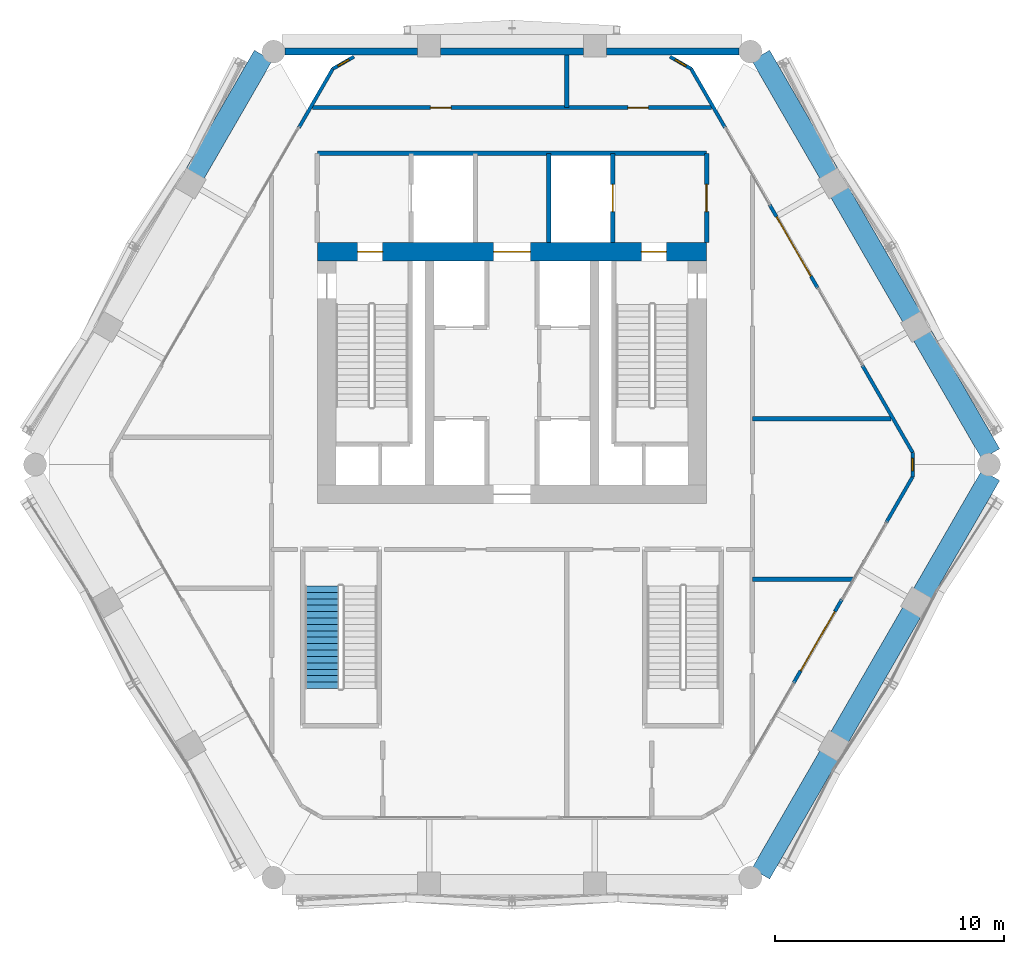
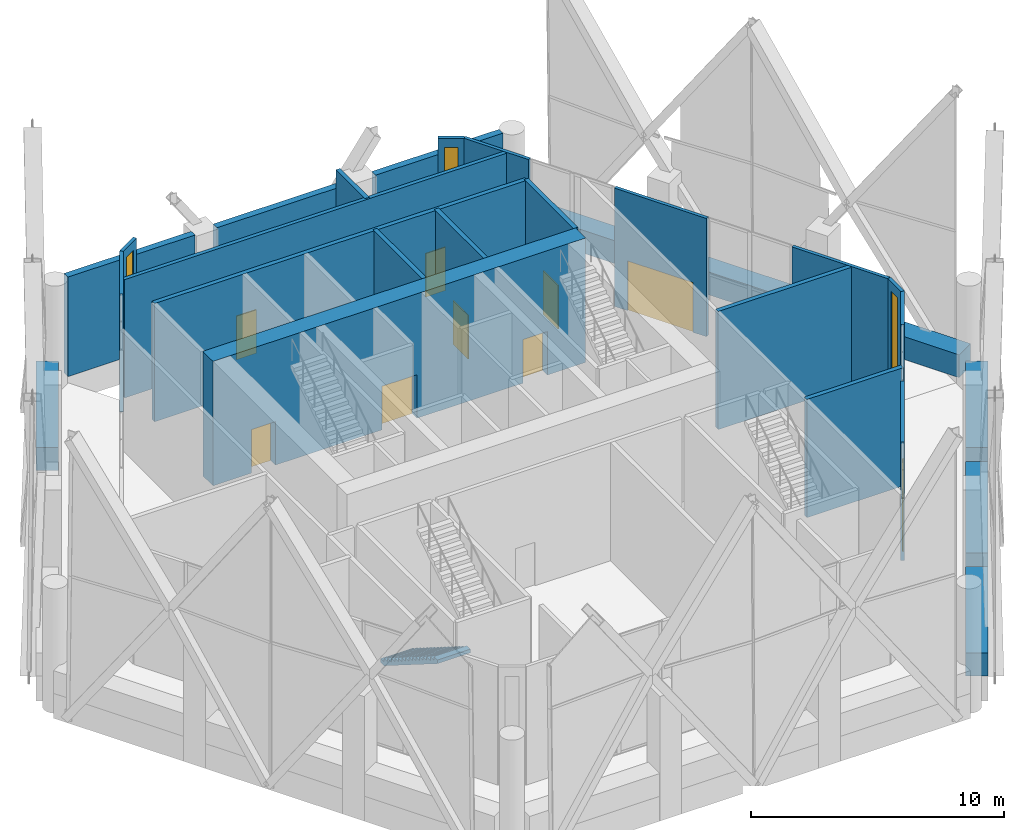
# One storey, part 37 of 43: 28 walls, 9 doors, 3 windows, 1 stair flight, 12 openings, 1 element without a shape of its own.
"""IFC4 building model written with IfcOpenShell, lengths in metres."""

from ifc_helpers import new_model, si_unit, direction, frame, frame_2d, origin, place, context, subcontext, project, spatial, polyline, rectangle, outline, extrude, material, layer, layer_set, type_object, element, fill, aggregate, save


model = new_model("IFC4")

# Units and contexts
model_context = context("Model", 3, precision=1e-05, world=origin(), true_north=direction((0.0, 1.0)))
body_context = subcontext(model_context, "Body", "Model", "MODEL_VIEW")
ifc_project = project(units=[si_unit("LENGTHUNIT", "METRE"), si_unit("AREAUNIT", "SQUARE_METRE"), si_unit("VOLUMEUNIT", "CUBIC_METRE"), si_unit("PLANEANGLEUNIT", "RADIAN"), si_unit("MASSUNIT", "GRAM", prefix="KILO")], contexts=[model_context])

# Site, building, storey
site_placement = place(None, origin())
site = spatial("IfcSite", under=ifc_project, at=site_placement, CompositionType="ELEMENT")
building_placement = place(site_placement, origin())
building = spatial("IfcBuilding", under=site, at=building_placement, Name="Ostrander Bayou Hotel Tower", CompositionType="ELEMENT")
storey_placement = place(building_placement, frame((0.0, 0.0, 151.0)))
storey = spatial("IfcBuildingStorey", under=building, at=storey_placement, Name="L37", CompositionType="ELEMENT", Elevation=151.0)

# Wall, openings, doors
ifc_material_1 = material(Name="Concrete f'c 60 MPa", Category="concrete")
ifc_layer_1 = layer(ifc_material_1, 0.800048828125)
ifc_layer_set_1 = layer_set([ifc_layer_1], Name="CW7 core wall 800 mm f'c 60 MPa")
wall_type_1 = type_object("IfcWallType", Name="CW7 core wall 800 mm f'c 60 MPa", PredefinedType="SHEAR", material=ifc_layer_set_1)
wall_1_placement = place(storey_placement, frame((-8.5, 9.300048828125, -0.300048828125), z_axis=(0.0, 0.0, 1.0), x_axis=(1.0, 0.0, 0.0)))
wall_1 = element("IfcWall", 1, at=wall_1_placement, inside=storey, type_object=wall_type_1, Name="CW7 L37 N", PredefinedType="SHEAR", context=body_context, shape_type="SweptSolid", body=[
    extrude(rectangle(XDim=17.0, YDim=0.800048828125, at=frame_2d((8.5, 0.0))), origin(), (0.0, 0.0, 1.0), 6.0),
])
opening_1_placement = place(wall_1_placement, frame((7.699951171875, 0.0, 0.0)))
opening_1 = element("IfcOpeningElement", 2, at=opening_1_placement, cuts=wall_1, Name="Opening T37-006", PredefinedType="OPENING", context=body_context, shape_type="SweptSolid", body=[
    extrude(rectangle(XDim=1.60009765625, YDim=2.10009765625, at=frame_2d((0.800048828125, 1.050048828125))), frame((0.0, 0.39990234375, 0.0), z_axis=(0.0, -1.0, 0.0), x_axis=(1.0, 0.0, 0.0)), (0.0, 0.0, 1.0), 0.800048828125),
])
opening_2_placement = place(wall_1_placement, frame((1.75, 0.0, 0.0)))
opening_2 = element("IfcOpeningElement", 3, at=opening_2_placement, cuts=wall_1, Name="Opening T37-007", PredefinedType="OPENING", context=body_context, shape_type="SweptSolid", body=[
    extrude(rectangle(XDim=1.10009765625, YDim=2.10009765625, at=frame_2d((0.550048828125, 1.050048828125))), frame((0.0, 0.39990234375, 0.0), z_axis=(0.0, -1.0, 0.0), x_axis=(1.0, 0.0, 0.0)), (0.0, 0.0, 1.0), 0.800048828125),
])
opening_3_placement = place(wall_1_placement, frame((14.14990234375, 0.0, 0.0)))
opening_3 = element("IfcOpeningElement", 4, at=opening_3_placement, cuts=wall_1, Name="Opening T37-009", PredefinedType="OPENING", context=body_context, shape_type="SweptSolid", body=[
    extrude(rectangle(XDim=1.10009765625, YDim=2.10009765625, at=frame_2d((0.550048828125, 1.050048828125))), frame((0.0, 0.39990234375, 0.0), z_axis=(0.0, -1.0, 0.0), x_axis=(1.0, 0.0, 0.0)), (0.0, 0.0, 1.0), 0.800048828125),
])
ifc_material_2 = material(Name="Timber door leaf", Category="wood")
door_type_1 = type_object("IfcDoorType", Name="D13 double door 1600 x 2100 mm, 1 hour", OperationType="SINGLE_SWING_LEFT", PredefinedType="DOOR", material=ifc_material_2)
door_1_placement = place(opening_1_placement, origin())
door_1 = element("IfcDoor", 5, at=door_1_placement, inside=storey, type_object=door_type_1, Name="dr:L37:006", OperationType="DOUBLE_DOOR_SINGLE_SWING", OverallHeight=2.10009765625, OverallWidth=1.60009765625, PredefinedType="DOOR", context=body_context, shape_type="SweptSolid", body=[
    extrude(rectangle(XDim=1.60009765625, YDim=2.10009765625, at=frame_2d((0.800048828125, 1.050048828125))), frame((0.0, 0.02490234375, 0.0), z_axis=(0.0, -1.0, 0.0), x_axis=(1.0, 0.0, 0.0)), (0.0, 0.0, 1.0), 0.050048828125),
])
fill(opening_1, door_1)
ifc_material_3 = material(Name="Timber door leaf", Category="wood")
door_type_2 = type_object("IfcDoorType", Name="D5 stair door 1100 x 2100 mm, 90 minute", OperationType="SINGLE_SWING_LEFT", PredefinedType="DOOR", material=ifc_material_3)
door_2_placement = place(opening_2_placement, origin())
door_2 = element("IfcDoor", 6, at=door_2_placement, inside=storey, type_object=door_type_2, Name="dr:L37:007", OperationType="SINGLE_SWING_LEFT", OverallHeight=2.10009765625, OverallWidth=1.10009765625, PredefinedType="DOOR", context=body_context, shape_type="SweptSolid", body=[
    extrude(rectangle(XDim=1.10009765625, YDim=2.10009765625, at=frame_2d((0.550048828125, 1.050048828125))), frame((0.0, 0.02490234375, 0.0), z_axis=(0.0, -1.0, 0.0), x_axis=(1.0, 0.0, 0.0)), (0.0, 0.0, 1.0), 0.050048828125),
])
fill(opening_2, door_2)
door_3_placement = place(opening_3_placement, origin())
door_3 = element("IfcDoor", 7, at=door_3_placement, inside=storey, type_object=door_type_2, Name="dr:L37:009", OperationType="SINGLE_SWING_RIGHT", OverallHeight=2.10009765625, OverallWidth=1.10009765625, PredefinedType="DOOR", context=body_context, shape_type="SweptSolid", body=[
    extrude(rectangle(XDim=1.10009765625, YDim=2.10009765625, at=frame_2d((0.550048828125, 1.050048828125))), frame((0.0, 0.02490234375, 0.0), z_axis=(0.0, -1.0, 0.0), x_axis=(1.0, 0.0, 0.0)), (0.0, 0.0, 1.0), 0.050048828125),
])
fill(opening_3, door_3)

# Wall
ifc_material_4 = material(Name="Aluminium framed insulated wall", Category="aluminium")
ifc_layer_2 = layer(ifc_material_4, 0.14990234375)
ifc_layer_set_2 = layer_set([ifc_layer_2], Name="GW1 glass-line wall 150 mm")
wall_type_2 = type_object("IfcWallType", Name="GW1 glass-line wall 150 mm", PredefinedType="SOLIDWALL", material=ifc_layer_set_2)
wall_2_placement = place(storey_placement, frame((-7.827392578125, 17.29248046875, 0.0), z_axis=(0.0, 0.0, 1.0), x_axis=(-0.499986444521, -0.866033229902, 0.0)))
element("IfcWall", 8, at=wall_2_placement, inside=storey, type_object=wall_type_2, Name="GW1 L37 NW end 1", PredefinedType="SOLIDWALL", context=body_context, shape_type="SweptSolid", body=[
    extrude(rectangle(XDim=2.9619140625, YDim=0.14990234375, at=frame_2d((1.48095703125, 0.0))), origin(), (0.0, 0.0, 1.0), 5.699951171875),
])

# Wall, opening, door
wall_3_placement = place(storey_placement, frame((12.308349609375, -9.53125, 0.0), z_axis=(0.0, 0.0, 1.0), x_axis=(0.500002543286, 0.866023935413, 0.0)))
wall_3 = element("IfcWall", 9, at=wall_3_placement, inside=storey, type_object=wall_type_2, Name="GW1 L37 SE 2", PredefinedType="SOLIDWALL", context=body_context, shape_type="SweptSolid", body=[
    extrude(rectangle(XDim=4.2001953125, YDim=0.14990234375, at=frame_2d((2.10009765625, 0.0))), origin(), (0.0, 0.0, 1.0), 5.699951171875),
])
opening_4_placement = place(wall_3_placement, frame((0.60009765625, 0.0, 0.0)))
opening_4 = element("IfcOpeningElement", 10, at=opening_4_placement, cuts=wall_3, Name="Opening T37-803", PredefinedType="OPENING", context=body_context, shape_type="SweptSolid", body=[
    extrude(rectangle(XDim=3.0, YDim=2.39990234375, at=frame_2d((1.5, 1.199951171875))), frame((0.0, 0.074951171875, 0.0), z_axis=(0.0, -1.0, 0.0), x_axis=(1.0, 0.0, 0.0)), (0.0, 0.0, 1.0), 0.14990234375),
])
ifc_material_5 = material(Name="Aluminium and clear glass", Category="aluminium")
door_type_3 = type_object("IfcDoorType", Name="SD5 sliding glass door 3000 mm", OperationType="SLIDING_TO_LEFT", PredefinedType="DOOR", material=ifc_material_5)
door_4_placement = place(opening_4_placement, origin())
door_4 = element("IfcDoor", 11, at=door_4_placement, inside=storey, type_object=door_type_3, Name="SD5 L37 SE 2", OperationType="SLIDING_TO_RIGHT", OverallHeight=2.39990234375, OverallWidth=3.0, PredefinedType="DOOR", context=body_context, shape_type="SweptSolid", body=[
    extrude(rectangle(XDim=3.0, YDim=2.39990234375, at=frame_2d((1.5, 1.199951171875))), frame((0.0, 0.02490234375, 0.0), z_axis=(0.0, -1.0, 0.0), x_axis=(1.0, 0.0, 0.0)), (0.0, 0.0, 1.0), 0.050048828125),
])
fill(opening_4, door_4)

# Wall
wall_4_placement = place(storey_placement, frame((16.3583984375, -2.516357421875, 0.0), z_axis=(0.0, 0.0, 1.0), x_axis=(0.500036104519, 0.866004557827, 0.0)))
element("IfcWall", 12, at=wall_4_placement, inside=storey, type_object=wall_type_2, Name="GW1 L37 SE end 2", PredefinedType="SOLIDWALL", context=body_context, shape_type="SweptSolid", body=[
    extrude(rectangle(XDim=2.290771484375, YDim=0.14990234375, at=frame_2d((1.1455078125, 0.0))), origin(), (0.0, 0.0, 1.0), 5.699951171875),
])

# Wall, opening, door
wall_5_placement = place(storey_placement, frame((13.3583984375, 7.71240234375, 0.0), z_axis=(0.0, 0.0, 1.0), x_axis=(-0.500002543286, 0.866023935413, 0.0)))
wall_5 = element("IfcWall", 13, at=wall_5_placement, inside=storey, type_object=wall_type_2, Name="GW1 L37 NE 3", PredefinedType="SOLIDWALL", context=body_context, shape_type="SweptSolid", body=[
    extrude(rectangle(XDim=4.2001953125, YDim=0.14990234375, at=frame_2d((2.10009765625, 0.0))), origin(), (0.0, 0.0, 1.0), 5.699951171875),
])
opening_5_placement = place(wall_5_placement, frame((0.60009765625, 0.0, 0.0)))
opening_5 = element("IfcOpeningElement", 14, at=opening_5_placement, cuts=wall_5, Name="Opening T37-804", PredefinedType="OPENING", context=body_context, shape_type="SweptSolid", body=[
    extrude(rectangle(XDim=3.0, YDim=2.39990234375, at=frame_2d((1.5, 1.199951171875))), frame((0.0, 0.074951171875, 0.0), z_axis=(0.0, -1.0, 0.0), x_axis=(1.0, 0.0, 0.0)), (0.0, 0.0, 1.0), 0.14990234375),
])
door_5_placement = place(opening_5_placement, origin())
door_5 = element("IfcDoor", 15, at=door_5_placement, inside=storey, type_object=door_type_3, Name="SD5 L37 NE 3", OperationType="SLIDING_TO_LEFT", OverallHeight=2.39990234375, OverallWidth=3.0, PredefinedType="DOOR", context=body_context, shape_type="SweptSolid", body=[
    extrude(rectangle(XDim=3.0, YDim=2.39990234375, at=frame_2d((1.5, 1.199951171875))), frame((0.0, 0.02490234375, 0.0), z_axis=(0.0, -1.0, 0.0), x_axis=(1.0, 0.0, 0.0)), (0.0, 0.0, 1.0), 0.050048828125),
])
fill(opening_5, door_5)

# Walls
wall_6_placement = place(storey_placement, frame((17.50390625, 0.532470703125, 0.0), z_axis=(0.0, 0.0, 1.0), x_axis=(-0.500032091566, 0.866006874918, 0.0)))
element("IfcWall", 16, at=wall_6_placement, inside=storey, type_object=wall_type_2, Name="GW1 L37 NE end 1", PredefinedType="SOLIDWALL", context=body_context, shape_type="SweptSolid", body=[
    extrude(rectangle(XDim=4.390869140625, YDim=0.14990234375, at=frame_2d((2.1953125, 0.0))), origin(), (0.0, 0.0, 1.0), 5.699951171875),
])
wall_7_placement = place(storey_placement, frame((9.308349609375, 14.727294921875, 0.0), z_axis=(0.0, 0.0, 1.0), x_axis=(-0.499986444521, 0.866033229902, 0.0)))
element("IfcWall", 17, at=wall_7_placement, inside=storey, type_object=wall_type_2, Name="GW1 L37 NE end 2", PredefinedType="SOLIDWALL", context=body_context, shape_type="SweptSolid", body=[
    extrude(rectangle(XDim=2.9619140625, YDim=0.14990234375, at=frame_2d((1.48095703125, 0.0))), origin(), (0.0, 0.0, 1.0), 5.699951171875),
])

# Wall, opening, window
wall_8_placement = place(storey_placement, frame((-6.905029296875, 17.824951171875, 0.0), z_axis=(0.0, 0.0, 1.0), x_axis=(-0.866048165231, -0.499960573946, 0.0)))
wall_8 = element("IfcWall", 18, at=wall_8_placement, inside=storey, type_object=wall_type_2, Name="GW1 L37 corner 1", PredefinedType="SOLIDWALL", context=body_context, shape_type="SweptSolid", body=[
    extrude(rectangle(XDim=1.06494140625, YDim=0.14990234375, at=frame_2d((0.532470703125, 0.0))), origin(), (0.0, 0.0, 1.0), 5.699951171875),
])
opening_6_placement = place(wall_8_placement, frame((0.257568359375, 0.0, 0.14990234375)))
opening_6 = element("IfcOpeningElement", 19, at=opening_6_placement, cuts=wall_8, Name="Opening W19", PredefinedType="OPENING", context=body_context, shape_type="SweptSolid", body=[
    extrude(rectangle(XDim=0.550048828125, YDim=5.10009765625, at=frame_2d((0.27490234375, 2.550048828125))), frame((0.0, 0.074951171875, 0.0), z_axis=(0.0, -1.0, 0.0), x_axis=(1.0, 0.0, 0.0)), (0.0, 0.0, 1.0), 0.14990234375),
])
ifc_material_6 = material(Name="Aluminium and clear glass", Category="aluminium")
window_type = type_object("IfcWindowType", Name="W19 corner window 550 mm", PartitioningType="SINGLE_PANEL", PredefinedType="WINDOW", material=ifc_material_6)
window_1_placement = place(opening_6_placement, origin())
window_1 = element("IfcWindow", 20, at=window_1_placement, inside=storey, type_object=window_type, Name="W19 L37 corner 1", OverallHeight=5.10009765625, OverallWidth=0.550048828125, PartitioningType="SINGLE_PANEL", PredefinedType="WINDOW", context=body_context, shape_type="SweptSolid", body=[
    extrude(rectangle(XDim=0.550048828125, YDim=5.10009765625, at=frame_2d((0.27490234375, 2.550048828125))), frame((0.0, 0.030029296875, 0.0), z_axis=(0.0, -1.0, 0.0), x_axis=(1.0, 0.0, 0.0)), (0.0, 0.0, 1.0), 0.06005859375),
])
fill(opening_6, window_1)

wall_9_placement = place(storey_placement, frame((17.50390625, -0.532470703125, 0.0), z_axis=(0.0, 0.0, 1.0), x_axis=(0.0, 1.0, 0.0)))
wall_9 = element("IfcWall", 21, at=wall_9_placement, inside=storey, type_object=wall_type_2, Name="GW1 L37 corner 5", PredefinedType="SOLIDWALL", context=body_context, shape_type="SweptSolid", body=[
    extrude(rectangle(XDim=1.06494140625, YDim=0.14990234375, at=frame_2d((0.532470703125, 0.0))), origin(), (0.0, 0.0, 1.0), 5.699951171875),
])
opening_7_placement = place(wall_9_placement, frame((0.257568359375, 0.0, 0.14990234375)))
opening_7 = element("IfcOpeningElement", 22, at=opening_7_placement, cuts=wall_9, Name="Opening W19", PredefinedType="OPENING", context=body_context, shape_type="SweptSolid", body=[
    extrude(rectangle(XDim=0.550048828125, YDim=5.10009765625, at=frame_2d((0.27490234375, 2.550048828125))), frame((0.0, 0.074951171875, 0.0), z_axis=(0.0, -1.0, 0.0), x_axis=(1.0, 0.0, 0.0)), (0.0, 0.0, 1.0), 0.14990234375),
])
window_2_placement = place(opening_7_placement, origin())
window_2 = element("IfcWindow", 23, at=window_2_placement, inside=storey, type_object=window_type, Name="W19 L37 corner 5", OverallHeight=5.10009765625, OverallWidth=0.550048828125, PartitioningType="SINGLE_PANEL", PredefinedType="WINDOW", context=body_context, shape_type="SweptSolid", body=[
    extrude(rectangle(XDim=0.550048828125, YDim=5.10009765625, at=frame_2d((0.27490234375, 2.550048828125))), frame((0.0, 0.030029296875, 0.0), z_axis=(0.0, -1.0, 0.0), x_axis=(1.0, 0.0, 0.0)), (0.0, 0.0, 1.0), 0.06005859375),
])
fill(opening_7, window_2)

wall_10_placement = place(storey_placement, frame((7.827392578125, 17.29248046875, 0.0), z_axis=(0.0, 0.0, 1.0), x_axis=(-0.866048165231, 0.499960573946, 0.0)))
wall_10 = element("IfcWall", 24, at=wall_10_placement, inside=storey, type_object=wall_type_2, Name="GW1 L37 corner 6", PredefinedType="SOLIDWALL", context=body_context, shape_type="SweptSolid", body=[
    extrude(rectangle(XDim=1.06494140625, YDim=0.14990234375, at=frame_2d((0.532470703125, 0.0))), origin(), (0.0, 0.0, 1.0), 5.699951171875),
])
opening_8_placement = place(wall_10_placement, frame((0.257568359375, 0.0, 0.14990234375)))
opening_8 = element("IfcOpeningElement", 25, at=opening_8_placement, cuts=wall_10, Name="Opening W19", PredefinedType="OPENING", context=body_context, shape_type="SweptSolid", body=[
    extrude(rectangle(XDim=0.550048828125, YDim=5.10009765625, at=frame_2d((0.27490234375, 2.550048828125))), frame((0.0, 0.074951171875, 0.0), z_axis=(0.0, -1.0, 0.0), x_axis=(1.0, 0.0, 0.0)), (0.0, 0.0, 1.0), 0.14990234375),
])
window_3_placement = place(opening_8_placement, origin())
window_3 = element("IfcWindow", 26, at=window_3_placement, inside=storey, type_object=window_type, Name="W19 L37 corner 6", OverallHeight=5.10009765625, OverallWidth=0.550048828125, PartitioningType="SINGLE_PANEL", PredefinedType="WINDOW", context=body_context, shape_type="SweptSolid", body=[
    extrude(rectangle(XDim=0.550048828125, YDim=5.10009765625, at=frame_2d((0.27490234375, 2.550048828125))), frame((0.0, 0.030029296875, 0.0), z_axis=(0.0, -1.0, 0.0), x_axis=(1.0, 0.0, 0.0)), (0.0, 0.0, 1.0), 0.06005859375),
])
fill(opening_8, window_3)

# Walls
ifc_material_7 = material(Name="Reconstituted stone on masonry backing", Category="masonry")
ifc_layer_3 = layer(ifc_material_7, 0.300048828125)
ifc_layer_set_3 = layer_set([ifc_layer_3], Name="NW1 north stone wall 300 mm")
wall_type_3 = type_object("IfcWallType", Name="NW1 north stone wall 300 mm", PredefinedType="SOLIDWALL", material=ifc_layer_set_3)
wall_11_placement = place(storey_placement, frame((9.9189453125, 18.050048828125, 0.0), z_axis=(0.0, 0.0, 1.0), x_axis=(-1.0, 0.0, 0.0)))
element("IfcWall", 27, at=wall_11_placement, inside=storey, type_object=wall_type_3, Name="NW1 L37 N-1", PredefinedType="SOLIDWALL", context=body_context, shape_type="SweptSolid", body=[
    extrude(rectangle(XDim=5.80078125, YDim=0.300048828125, at=frame_2d((2.900390625, 0.0))), origin(), (0.0, 0.0, 1.0), 4.800048828125),
])
wall_12_placement = place(storey_placement, frame((3.1181640625, 18.050048828125, 0.0), z_axis=(0.0, 0.0, 1.0), x_axis=(-1.0, 0.0, 0.0)))
element("IfcWall", 28, at=wall_12_placement, inside=storey, type_object=wall_type_3, Name="NW1 L37 N-2", PredefinedType="SOLIDWALL", context=body_context, shape_type="SweptSolid", body=[
    extrude(rectangle(XDim=6.236328125, YDim=0.300048828125, at=frame_2d((3.1181640625, 0.0))), origin(), (0.0, 0.0, 1.0), 4.800048828125),
])
wall_13_placement = place(storey_placement, frame((-4.1181640625, 18.050048828125, 0.0), z_axis=(0.0, 0.0, 1.0), x_axis=(-1.0, 0.0, 0.0)))
element("IfcWall", 29, at=wall_13_placement, inside=storey, type_object=wall_type_3, Name="NW1 L37 N-3", PredefinedType="SOLIDWALL", context=body_context, shape_type="SweptSolid", body=[
    extrude(rectangle(XDim=5.80078125, YDim=0.300048828125, at=frame_2d((2.900390625, 0.0))), origin(), (0.0, 0.0, 1.0), 4.800048828125),
])
ifc_material_8 = material(Name="Concrete f'c 40 MPa", Category="concrete")
ifc_layer_4 = layer(ifc_material_8, 0.89990234375)
ifc_layer_set_4 = layer_set([ifc_layer_4], Name="PA1 stone-faced parapet 900 mm")
wall_type_4 = type_object("IfcWallType", Name="PA1 stone-faced parapet 900 mm", PredefinedType="PARAPET", material=ifc_layer_set_4)
wall_14_placement = place(storey_placement, frame((-10.865478515625, 17.88037109375, 0.0), z_axis=(0.0, 0.0, 1.0), x_axis=(-0.49998703478, -0.866032889128, 0.0)))
element("IfcWall", 30, at=wall_14_placement, inside=storey, type_object=wall_type_4, Name="PA1 L37 NW-1", PredefinedType="PARAPET", context=body_context, shape_type="SweptSolid", body=[
    extrude(rectangle(XDim=5.964111328125, YDim=0.89990234375, at=frame_2d((2.98193359375, 0.0))), origin(), (0.0, 0.0, 1.0), 1.10009765625),
])
wall_15_placement = place(storey_placement, frame((20.91748046875, 0.4697265625, 0.0), z_axis=(0.0, 0.0, 1.0), x_axis=(-0.500004760619, 0.866022655223, 0.0)))
element("IfcWall", 31, at=wall_15_placement, inside=storey, type_object=wall_type_4, Name="PA1 L37 NE-1", PredefinedType="PARAPET", context=body_context, shape_type="SweptSolid", body=[
    extrude(rectangle(XDim=5.9638671875, YDim=0.89990234375, at=frame_2d((2.98193359375, 0.0))), origin(), (0.0, 0.0, 1.0), 1.10009765625),
])
wall_16_placement = place(storey_placement, frame((17.465576171875, 6.44873046875, 0.0), z_axis=(0.0, 0.0, 1.0), x_axis=(-0.500013351051, 0.866017695414, 0.0)))
element("IfcWall", 32, at=wall_16_placement, inside=storey, type_object=wall_type_4, Name="PA1 L37 NE-2", PredefinedType="PARAPET", context=body_context, shape_type="SweptSolid", body=[
    extrude(rectangle(XDim=6.296142578125, YDim=0.89990234375, at=frame_2d((3.14794921875, 0.0))), origin(), (0.0, 0.0, 1.0), 1.10009765625),
])
wall_17_placement = place(storey_placement, frame((13.847412109375, 12.71533203125, 0.0), z_axis=(0.0, 0.0, 1.0), x_axis=(-0.49998703478, 0.866032889128, 0.0)))
element("IfcWall", 33, at=wall_17_placement, inside=storey, type_object=wall_type_4, Name="PA1 L37 NE-3", PredefinedType="PARAPET", context=body_context, shape_type="SweptSolid", body=[
    extrude(rectangle(XDim=5.964111328125, YDim=0.89990234375, at=frame_2d((2.98193359375, 0.0))), origin(), (0.0, 0.0, 1.0), 1.10009765625),
])
ifc_material_9 = material(Name="Limestone masonry", Category="masonry")
ifc_layer_5 = layer(ifc_material_9, 0.89990234375)
ifc_layer_set_5 = layer_set([ifc_layer_5], Name="PA2 limestone parapet 900 mm")
wall_type_5 = type_object("IfcWallType", Name="PA2 limestone parapet 900 mm", PredefinedType="PARAPET", material=ifc_layer_set_5)
wall_18_placement = place(storey_placement, frame((10.865478515625, -17.88037109375, 0.0), z_axis=(0.0, 0.0, 1.0), x_axis=(0.49998703478, 0.866032889128, 0.0)))
element("IfcWall", 34, at=wall_18_placement, inside=storey, type_object=wall_type_5, Name="PA2 L37 SE-1", PredefinedType="PARAPET", context=body_context, shape_type="SweptSolid", body=[
    extrude(rectangle(XDim=5.964111328125, YDim=0.89990234375, at=frame_2d((2.98193359375, 0.0))), origin(), (0.0, 0.0, 1.0), 1.10009765625),
])
wall_19_placement = place(storey_placement, frame((14.3173828125, -11.9013671875, 0.0), z_axis=(0.0, 0.0, 1.0), x_axis=(0.500013351051, 0.866017695414, 0.0)))
element("IfcWall", 35, at=wall_19_placement, inside=storey, type_object=wall_type_5, Name="PA2 L37 SE-2", PredefinedType="PARAPET", context=body_context, shape_type="SweptSolid", body=[
    extrude(rectangle(XDim=6.296142578125, YDim=0.89990234375, at=frame_2d((3.14794921875, 0.0))), origin(), (0.0, 0.0, 1.0), 1.10009765625),
])
wall_20_placement = place(storey_placement, frame((17.935546875, -5.634521484375, 0.0), z_axis=(0.0, 0.0, 1.0), x_axis=(0.500004760619, 0.866022655223, 0.0)))
element("IfcWall", 36, at=wall_20_placement, inside=storey, type_object=wall_type_5, Name="PA2 L37 SE-3", PredefinedType="PARAPET", context=body_context, shape_type="SweptSolid", body=[
    extrude(rectangle(XDim=5.9638671875, YDim=0.89990234375, at=frame_2d((2.98193359375, 0.0))), origin(), (0.0, 0.0, 1.0), 1.10009765625),
])
ifc_material_10 = material(Name="Gypsum board partition", Category="finish")
ifc_layer_6 = layer(ifc_material_10, 0.199951171875)
ifc_layer_set_6 = layer_set([ifc_layer_6], Name="PT3 demising wall 200 mm acoustic double stud, 1 hour")
wall_type_6 = type_object("IfcWallType", Name="PT3 demising wall 200 mm acoustic double stud, 1 hour", PredefinedType="PARTITIONING", material=ifc_layer_set_6)
wall_21_placement = place(storey_placement, frame((10.5, -5.0, 0.0), z_axis=(0.0, 0.0, 1.0), x_axis=(1.0, 0.0, 0.0)))
element("IfcWall", 37, at=wall_21_placement, inside=storey, type_object=wall_type_6, Name="sw:L37:008", PredefinedType="PARTITIONING", context=body_context, shape_type="SweptSolid", body=[
    extrude(rectangle(XDim=4.4033203125, YDim=0.199951171875, at=frame_2d((2.20166015625, 0.0))), origin(), (0.0, 0.0, 1.0), 5.699951171875),
])
wall_22_placement = place(storey_placement, frame((10.5, 2.0, 0.0), z_axis=(0.0, 0.0, 1.0), x_axis=(1.0, 0.0, 0.0)))
element("IfcWall", 38, at=wall_22_placement, inside=storey, type_object=wall_type_6, Name="sw:L37:010", PredefinedType="PARTITIONING", context=body_context, shape_type="SweptSolid", body=[
    extrude(rectangle(XDim=6.06494140625, YDim=0.199951171875, at=frame_2d((3.032470703125, 0.0))), origin(), (0.0, 0.0, 1.0), 5.699951171875),
])
wall_23_placement = place(storey_placement, frame((2.39990234375, 15.60009765625, 0.0), z_axis=(0.0, 0.0, 1.0), x_axis=(0.0, 1.0, 0.0)))
element("IfcWall", 39, at=wall_23_placement, inside=storey, type_object=wall_type_6, Name="sw:L37:014", PredefinedType="PARTITIONING", context=body_context, shape_type="SweptSolid", body=[
    extrude(rectangle(XDim=2.294921875, YDim=0.199951171875, at=frame_2d((1.1474609375, 0.0))), origin(), (0.0, 0.0, 1.0), 5.699951171875),
])

# Wall, openings, doors
ifc_material_11 = material(Name="Gypsum board partition", Category="finish")
ifc_layer_7 = layer(ifc_material_11, 0.175048828125)
ifc_layer_set_7 = layer_set([ifc_layer_7], Name="PT4 corridor wall 175 mm, 1 hour")
wall_type_7 = type_object("IfcWallType", Name="PT4 corridor wall 175 mm, 1 hour", PredefinedType="PARTITIONING", material=ifc_layer_set_7)
wall_24_placement = place(storey_placement, frame((-8.712890625, 15.60009765625, 0.0), z_axis=(0.0, 0.0, 1.0), x_axis=(1.0, 0.0, 0.0)))
wall_24 = element("IfcWall", 40, at=wall_24_placement, inside=storey, type_object=wall_type_7, Name="sw:L37:004", PredefinedType="PARTITIONING", context=body_context, shape_type="SweptSolid", body=[
    extrude(rectangle(XDim=17.42578125, YDim=0.175048828125, at=frame_2d((8.712890625, 0.0))), origin(), (0.0, 0.0, 1.0), 5.699951171875),
])
opening_9_placement = place(wall_24_placement, frame((5.150146484375, 0.0, 0.0)))
opening_9 = element("IfcOpeningElement", 41, at=opening_9_placement, cuts=wall_24, Name="Opening T37-210", PredefinedType="OPENING", context=body_context, shape_type="SweptSolid", body=[
    extrude(rectangle(XDim=0.89990234375, YDim=2.10009765625, at=frame_2d((0.449951171875, 1.050048828125))), frame((0.0, 0.08740234375, 0.0), z_axis=(0.0, -1.0, 0.0), x_axis=(1.0, 0.0, 0.0)), (0.0, 0.0, 1.0), 0.175048828125),
])
opening_10_placement = place(wall_24_placement, frame((13.77587890625, 0.0, 0.0)))
opening_10 = element("IfcOpeningElement", 42, at=opening_10_placement, cuts=wall_24, Name="Opening T37-211", PredefinedType="OPENING", context=body_context, shape_type="SweptSolid", body=[
    extrude(rectangle(XDim=0.89990234375, YDim=2.10009765625, at=frame_2d((0.449951171875, 1.050048828125))), frame((0.0, 0.08740234375, 0.0), z_axis=(0.0, -1.0, 0.0), x_axis=(1.0, 0.0, 0.0)), (0.0, 0.0, 1.0), 0.175048828125),
])
ifc_material_12 = material(Name="Timber door leaf", Category="wood")
door_type_4 = type_object("IfcDoorType", Name="D8 room door 900 x 2100 mm", OperationType="SINGLE_SWING_LEFT", PredefinedType="DOOR", material=ifc_material_12)
door_6_placement = place(opening_9_placement, origin())
door_6 = element("IfcDoor", 43, at=door_6_placement, inside=storey, type_object=door_type_4, Name="dr:L37:210", OperationType="SINGLE_SWING_RIGHT", OverallHeight=2.10009765625, OverallWidth=0.89990234375, PredefinedType="DOOR", context=body_context, shape_type="SweptSolid", body=[
    extrude(rectangle(XDim=0.89990234375, YDim=2.10009765625, at=frame_2d((0.449951171875, 1.050048828125))), frame((0.0, 0.02490234375, 0.0), z_axis=(0.0, -1.0, 0.0), x_axis=(1.0, 0.0, 0.0)), (0.0, 0.0, 1.0), 0.050048828125),
])
fill(opening_9, door_6)
door_7_placement = place(opening_10_placement, origin())
door_7 = element("IfcDoor", 44, at=door_7_placement, inside=storey, type_object=door_type_4, Name="dr:L37:211", OperationType="SINGLE_SWING_LEFT", OverallHeight=2.10009765625, OverallWidth=0.89990234375, PredefinedType="DOOR", context=body_context, shape_type="SweptSolid", body=[
    extrude(rectangle(XDim=0.89990234375, YDim=2.10009765625, at=frame_2d((0.449951171875, 1.050048828125))), frame((0.0, 0.02490234375, 0.0), z_axis=(0.0, -1.0, 0.0), x_axis=(1.0, 0.0, 0.0)), (0.0, 0.0, 1.0), 0.050048828125),
])
fill(opening_10, door_7)

# Wall
ifc_material_13 = material(Name="Masonry block", Category="masonry")
ifc_layer_8 = layer(ifc_material_13, 0.199951171875)
ifc_layer_set_8 = layer_set([ifc_layer_8], Name="PT5 stair enclosure wall 200 mm masonry, 2 hour")
wall_type_8 = type_object("IfcWallType", Name="PT5 stair enclosure wall 200 mm masonry, 2 hour", PredefinedType="PARTITIONING", material=ifc_layer_set_8)
wall_25_placement = place(storey_placement, frame((-8.5, 13.60009765625, 0.0), z_axis=(0.0, 0.0, 1.0), x_axis=(1.0, 0.0, 0.0)))
element("IfcWall", 45, at=wall_25_placement, inside=storey, type_object=wall_type_8, Name="cs:L37:023", PredefinedType="PARTITIONING", context=body_context, shape_type="SweptSolid", body=[
    extrude(rectangle(XDim=17.0, YDim=0.199951171875, at=frame_2d((8.5, 0.0))), origin(), (0.0, 0.0, 1.0), 5.699951171875),
])

# Wall, opening, door
wall_26_placement = place(storey_placement, frame((8.5, 9.699951171875, 0.0), z_axis=(0.0, 0.0, 1.0), x_axis=(0.0, 1.0, 0.0)))
wall_26 = element("IfcWall", 46, at=wall_26_placement, inside=storey, type_object=wall_type_8, Name="cs:L37:025", PredefinedType="PARTITIONING", context=body_context, shape_type="SweptSolid", body=[
    extrude(rectangle(XDim=3.900146484375, YDim=0.199951171875, at=frame_2d((1.9501953125, 0.0))), origin(), (0.0, 0.0, 1.0), 5.699951171875),
])
opening_11_placement = place(wall_26_placement, frame((1.35009765625, 0.0, 0.0)))
opening_11 = element("IfcOpeningElement", 47, at=opening_11_placement, cuts=wall_26, Name="Opening T37-016", PredefinedType="OPENING", context=body_context, shape_type="SweptSolid", body=[
    extrude(rectangle(XDim=1.199951171875, YDim=2.10009765625, at=frame_2d((0.60009765625, 1.050048828125))), frame((0.0, 0.10009765625, 0.0), z_axis=(0.0, -1.0, 0.0), x_axis=(1.0, 0.0, 0.0)), (0.0, 0.0, 1.0), 0.199951171875),
])
ifc_material_14 = material(Name="Timber door leaf", Category="wood")
door_type_5 = type_object("IfcDoorType", Name="D7 lobby door 1200 x 2100 mm, 1 hour", OperationType="SINGLE_SWING_LEFT", PredefinedType="DOOR", material=ifc_material_14)
door_8_placement = place(opening_11_placement, origin())
door_8 = element("IfcDoor", 48, at=door_8_placement, inside=storey, type_object=door_type_5, Name="dr:L37:016", OperationType="SINGLE_SWING_LEFT", OverallHeight=2.10009765625, OverallWidth=1.199951171875, PredefinedType="DOOR", context=body_context, shape_type="SweptSolid", body=[
    extrude(rectangle(XDim=1.199951171875, YDim=2.10009765625, at=frame_2d((0.60009765625, 1.050048828125))), frame((0.0, 0.02490234375, 0.0), z_axis=(0.0, -1.0, 0.0), x_axis=(1.0, 0.0, 0.0)), (0.0, 0.0, 1.0), 0.050048828125),
])
fill(opening_11, door_8)

wall_27_placement = place(storey_placement, frame((4.39990234375, 9.699951171875, 0.0), z_axis=(0.0, 0.0, 1.0), x_axis=(0.0, 1.0, 0.0)))
wall_27 = element("IfcWall", 49, at=wall_27_placement, inside=storey, type_object=wall_type_8, Name="cs:L37:027", PredefinedType="PARTITIONING", context=body_context, shape_type="SweptSolid", body=[
    extrude(rectangle(XDim=3.900146484375, YDim=0.199951171875, at=frame_2d((1.9501953125, 0.0))), origin(), (0.0, 0.0, 1.0), 5.699951171875),
])
opening_12_placement = place(wall_27_placement, frame((1.35009765625, 0.0, 0.0)))
opening_12 = element("IfcOpeningElement", 50, at=opening_12_placement, cuts=wall_27, Name="Opening T37-015", PredefinedType="OPENING", context=body_context, shape_type="SweptSolid", body=[
    extrude(rectangle(XDim=1.199951171875, YDim=2.10009765625, at=frame_2d((0.60009765625, 1.050048828125))), frame((0.0, 0.10009765625, 0.0), z_axis=(0.0, -1.0, 0.0), x_axis=(1.0, 0.0, 0.0)), (0.0, 0.0, 1.0), 0.199951171875),
])
ifc_material_15 = material(Name="Stainless steel sliding door", Category="steel")
door_type_6 = type_object("IfcDoorType", Name="LD1 lift landing door 1200 x 2100 mm", OperationType="SINGLE_SWING_LEFT", PredefinedType="DOOR", material=ifc_material_15)
door_9_placement = place(opening_12_placement, origin())
door_9 = element("IfcDoor", 51, at=door_9_placement, inside=storey, type_object=door_type_6, Name="dr:L37:015", OperationType="SLIDING_TO_LEFT", OverallHeight=2.10009765625, OverallWidth=1.199951171875, PredefinedType="DOOR", context=body_context, shape_type="SweptSolid", body=[
    extrude(rectangle(XDim=1.199951171875, YDim=2.10009765625, at=frame_2d((0.60009765625, 1.050048828125))), frame((0.0, 0.02490234375, 0.0), z_axis=(0.0, -1.0, 0.0), x_axis=(1.0, 0.0, 0.0)), (0.0, 0.0, 1.0), 0.050048828125),
])
fill(opening_12, door_9)

# Wall
ifc_material_16 = material(Name="Masonry block", Category="masonry")
ifc_layer_9 = layer(ifc_material_16, 0.199951171875)
ifc_layer_set_9 = layer_set([ifc_layer_9], Name="PT6 lift shaft wall 200 mm masonry, 2 hour")
wall_type_9 = type_object("IfcWallType", Name="PT6 lift shaft wall 200 mm masonry, 2 hour", PredefinedType="PARTITIONING", material=ifc_layer_set_9)
wall_28_placement = place(storey_placement, frame((1.60009765625, 9.699951171875, 0.0), z_axis=(0.0, 0.0, 1.0), x_axis=(0.0, 1.0, 0.0)))
element("IfcWall", 52, at=wall_28_placement, inside=storey, type_object=wall_type_9, Name="cs:L37:029", PredefinedType="PARTITIONING", context=body_context, shape_type="SweptSolid", body=[
    extrude(rectangle(XDim=3.900146484375, YDim=0.199951171875, at=frame_2d((1.9501953125, 0.0))), origin(), (0.0, 0.0, 1.0), 5.699951171875),
])

# Stair, stair flight
ifc_material_17 = material(Name="Concrete f'c 45 MPa", Category="concrete")
stair_type = type_object("IfcStairType", Name="ST1 exit stair 1500 mm f'c 45 MPa", PredefinedType="HALF_TURN_STAIR", material=ifc_material_17)
stair_placement = place(storey_placement, origin())
stair = element("IfcStair", 53, at=stair_placement, inside=storey, type_object=stair_type, Name="L37 exit stair D", PredefinedType="HALF_TURN_STAIR")
ifc_material_18 = material(Name="Concrete f'c 45 MPa", Category="concrete")
stair_flight_type = type_object("IfcStairFlightType", Name="SF1 stair flight 1500 mm f'c 45 MPa", PredefinedType="STRAIGHT", material=ifc_material_18)
stair_flight_placement = place(storey_placement, frame((-8.300048828125, -5.300048828125, 0.0), z_axis=(0.0, 0.0, 1.0), x_axis=(0.0, -1.0, 0.0)))
stair_flight = element("IfcStairFlight", 54, at=stair_flight_placement, type_object=stair_flight_type, Name="STD flight 1", NumberOfRisers=17, NumberOfTreads=16, PredefinedType="STRAIGHT", RiserHeight=0.176470588, TreadLength=0.28, context=body_context, shape_type="SweptSolid", body=[
    extrude(outline(polyline([(0.0, 0.0), (0.0, 0.176513671875), (0.280029296875, 0.176513671875), (0.280029296875, 0.35302734375), (0.56005859375, 0.35302734375), (0.56005859375, 0.529296875), (0.840087890625, 0.529296875), (0.840087890625, 0.705810546875), (1.1201171875, 0.705810546875), (1.1201171875, 0.88232421875), (1.39990234375, 0.88232421875), (1.39990234375, 1.058837890625), (1.679931640625, 1.058837890625), (1.679931640625, 1.2353515625), (1.9599609375, 1.2353515625), (1.9599609375, 1.411865234375), (2.239990234375, 1.411865234375), (2.239990234375, 1.588134765625), (2.52001953125, 1.588134765625), (2.52001953125, 1.7646484375), (2.800048828125, 1.7646484375), (2.800048828125, 1.941162109375), (3.080078125, 1.941162109375), (3.080078125, 2.11767578125), (3.360107421875, 2.11767578125), (3.360107421875, 2.294189453125), (3.639892578125, 2.294189453125), (3.639892578125, 2.470703125), (3.919921875, 2.470703125), (3.919921875, 2.64697265625), (4.199951171875, 2.64697265625), (4.199951171875, 2.823486328125), (4.47998046875, 2.823486328125), (4.47998046875, 3.0), (4.47998046875, 2.646240234375), (0.28125, 0.0), (0.0, 0.0)])), frame((0.0, 0.75, 0.0), z_axis=(0.0, -1.0, 0.0), x_axis=(1.0, 0.0, 0.0)), (0.0, 0.0, 1.0), 1.5),
])
aggregate(stair, [stair_flight])

save(model, "model.ifc")
